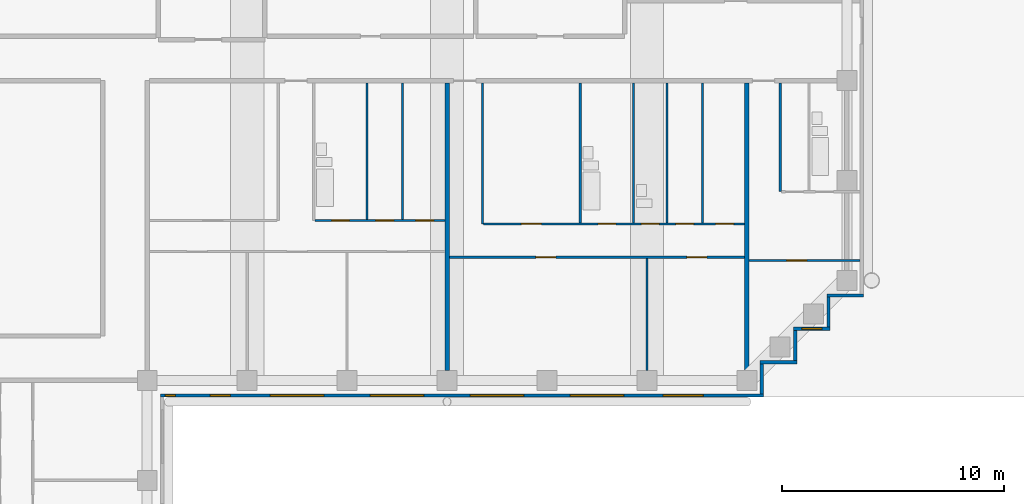
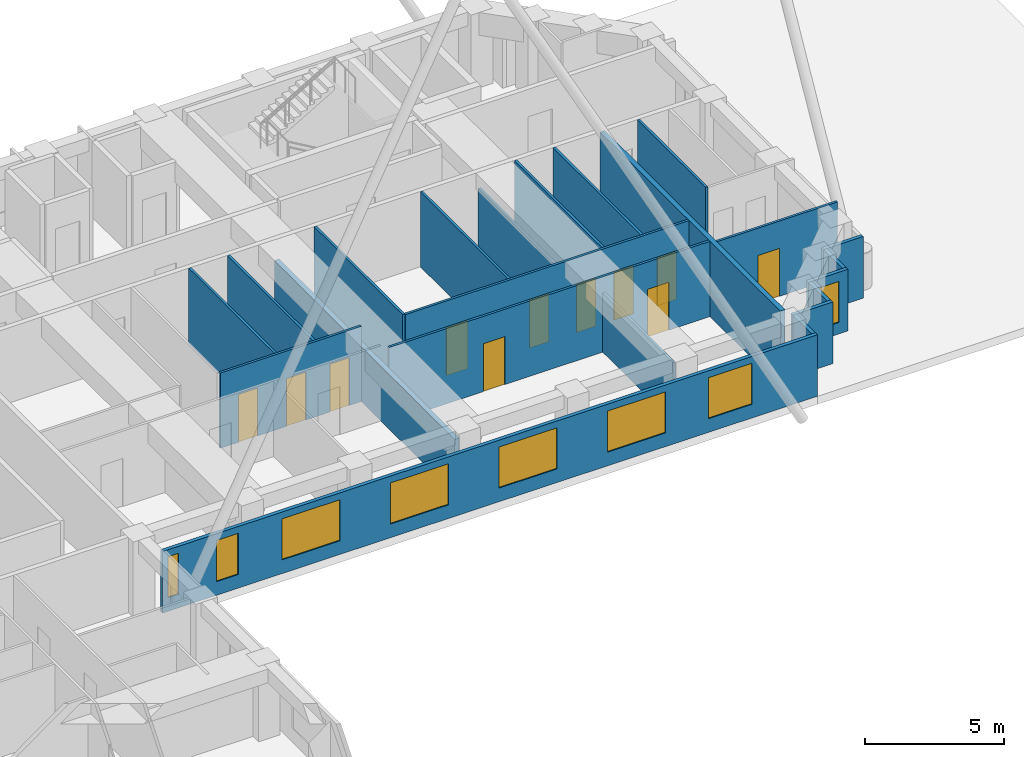
# One storey, part 7 of 11: 22 walls, 11 doors, 8 windows, 19 openings.
"""IFC4 building model written with IfcOpenShell, lengths in metres."""

from ifc_helpers import new_model, si_unit, direction, frame, frame_2d, origin, place, context, subcontext, project, spatial, rectangle, extrude, material, layer, layer_set, type_object, element, fill, save


model = new_model("IFC4")

# Units and contexts
model_context = context("Model", 3, precision=1e-05, world=origin(), true_north=direction((0.0, 1.0)))
body_context = subcontext(model_context, "Body", "Model", "MODEL_VIEW")
ifc_project = project(units=[si_unit("LENGTHUNIT", "METRE"), si_unit("AREAUNIT", "SQUARE_METRE"), si_unit("VOLUMEUNIT", "CUBIC_METRE"), si_unit("PLANEANGLEUNIT", "RADIAN"), si_unit("MASSUNIT", "GRAM", prefix="KILO")], contexts=[model_context])

# Site, building, storey
site_placement = place(None, origin())
site = spatial("IfcSite", under=ifc_project, at=site_placement, CompositionType="ELEMENT")
building_placement = place(site_placement, origin())
building = spatial("IfcBuilding", under=site, at=building_placement, Name="Firuza Court", CompositionType="ELEMENT")
storey_placement = place(building_placement, frame((0.0, 0.0, 186.199951171875)))
storey = spatial("IfcBuildingStorey", under=building, at=storey_placement, Name="L47", CompositionType="ELEMENT", Elevation=186.199951171875)

# Walls
ifc_material_1 = material(Name="Moisture-resistant gypsum board partition")
ifc_layer_1 = layer(ifc_material_1, 0.10009765625)
ifc_layer_set_1 = layer_set([ifc_layer_1], Name="Moisture-resistant gypsum board partition")
wall_type_1 = type_object("IfcWallType", Name="Bathroom partition 100", PredefinedType="PLUMBINGWALL", material=ifc_layer_set_1)
wall_1_placement = place(storey_placement, frame((42.0, 43.10009765625, 0.0), z_axis=(0.0, 0.0, 1.0), x_axis=(0.0, 1.0, 0.0)))
element("IfcWall", 1, at=wall_1_placement, inside=storey, type_object=wall_type_1, Name="Bathroom partition 100 L47", PredefinedType="PLUMBINGWALL", context=body_context, shape_type="SweptSolid", body=[
    extrude(rectangle(XDim=6.2998046875, YDim=0.10009765625, at=frame_2d((3.14990234375, 0.0))), origin(), (0.0, 0.0, 1.0), 3.300048828125),
])
wall_2_placement = place(storey_placement, frame((44.39990234375, 43.10009765625, 0.0), z_axis=(0.0, 0.0, 1.0), x_axis=(0.0, 1.0, 0.0)))
element("IfcWall", 2, at=wall_2_placement, inside=storey, type_object=wall_type_1, Name="Bathroom partition 100 L47", PredefinedType="PLUMBINGWALL", context=body_context, shape_type="SweptSolid", body=[
    extrude(rectangle(XDim=6.2998046875, YDim=0.10009765625, at=frame_2d((3.14990234375, 0.0))), origin(), (0.0, 0.0, 1.0), 2.60009765625),
])
wall_3_placement = place(storey_placement, frame((45.89990234375, 43.10009765625, 0.0), z_axis=(0.0, 0.0, 1.0), x_axis=(0.0, 1.0, 0.0)))
element("IfcWall", 3, at=wall_3_placement, inside=storey, type_object=wall_type_1, Name="Bathroom partition 100 L47", PredefinedType="PLUMBINGWALL", context=body_context, shape_type="SweptSolid", body=[
    extrude(rectangle(XDim=6.2998046875, YDim=0.10009765625, at=frame_2d((3.14990234375, 0.0))), origin(), (0.0, 0.0, 1.0), 3.300048828125),
])
wall_4_placement = place(storey_placement, frame((32.39990234375, 43.25, 0.0), z_axis=(0.0, 0.0, 1.0), x_axis=(0.0, 1.0, 0.0)))
element("IfcWall", 4, at=wall_4_placement, inside=storey, type_object=wall_type_1, Name="Bathroom partition 100 L47", PredefinedType="PLUMBINGWALL", context=body_context, shape_type="SweptSolid", body=[
    extrude(rectangle(XDim=6.14990234375, YDim=0.10009765625, at=frame_2d((3.074951171875, 0.0))), origin(), (0.0, 0.0, 1.0), 3.300048828125),
])
ifc_material_2 = material(Name="Timber stud partition, plasterboard both sides", Category="wood")
ifc_layer_2 = layer(ifc_material_2, 0.10009765625)
ifc_layer_set_2 = layer_set([ifc_layer_2], Name="Timber stud partition, plasterboard both sides")
wall_type_2 = type_object("IfcWallType", Name="Partition wall 100", PredefinedType="PARTITIONING", material=ifc_layer_set_2)
wall_5_placement = place(storey_placement, frame((45.0, 36.449951171875, 0.0), z_axis=(0.0, 0.0, 1.0), x_axis=(0.0, 1.0, 0.0)))
element("IfcWall", 5, at=wall_5_placement, inside=storey, type_object=wall_type_2, Name="Partition wall 100 L47", PredefinedType="PARTITIONING", context=body_context, shape_type="SweptSolid", body=[
    extrude(rectangle(XDim=5.050048828125, YDim=0.10009765625, at=frame_2d((2.52490234375, 0.0))), origin(), (0.0, 0.0, 1.0), 2.60009765625),
])

# Wall, opening, door
wall_6_placement = place(storey_placement, frame((49.60009765625, 41.39990234375, 0.0), z_axis=(0.0, 0.0, 1.0), x_axis=(1.0, 0.0, 0.0)))
wall_6 = element("IfcWall", 6, at=wall_6_placement, inside=storey, type_object=wall_type_2, Name="Partition wall 100 L47", PredefinedType="PARTITIONING", context=body_context, shape_type="SweptSolid", body=[
    extrude(rectangle(XDim=5.0, YDim=0.10009765625, at=frame_2d((2.5, 0.0))), origin(), (0.0, 0.0, 1.0), 3.300048828125),
])
opening_1_placement = place(wall_6_placement, frame((1.699951171875, 0.0, 0.0)))
opening_1 = element("IfcOpeningElement", 7, at=opening_1_placement, cuts=wall_6, Name="Opening D47038", PredefinedType="OPENING", context=body_context, shape_type="SweptSolid", body=[
    extrude(rectangle(XDim=0.89990234375, YDim=2.10009765625, at=frame_2d((0.449951171875, 1.050048828125))), frame((0.0, 0.06201171875, 0.0), z_axis=(0.0, -1.0, 0.0), x_axis=(1.0, 0.0, 0.0)), (0.0, 0.0, 1.0), 0.1240234375),
])
ifc_material_3 = material(Name="Timber door leaf in hardwood frame", Category="wood")
door_type_1 = type_object("IfcDoorType", Name="Room door 900", OperationType="SINGLE_SWING_LEFT", PredefinedType="DOOR", material=ifc_material_3)
door_1_placement = place(opening_1_placement, frame((0.89990234375, 0.0, 0.0), z_axis=(0.0, 0.0, 1.0), x_axis=(-1.0, 0.0, 0.0)))
door_1 = element("IfcDoor", 8, at=door_1_placement, inside=storey, type_object=door_type_1, Name="Studio room door", OperationType="SINGLE_SWING_RIGHT", OverallHeight=2.10009765625, OverallWidth=0.89990234375, PredefinedType="DOOR", context=body_context, shape_type="SweptSolid", body=[
    extrude(rectangle(XDim=0.89990234375, YDim=2.10009765625, at=frame_2d((0.449951171875, 1.050048828125))), frame((0.0, 0.02490234375, 0.0), z_axis=(0.0, -1.0, 0.0), x_axis=(1.0, 0.0, 0.0)), (0.0, 0.0, 1.0), 0.050048828125),
])
fill(opening_1, door_1)

# Wall, openings, doors
wall_7_placement = place(storey_placement, frame((36.10009765625, 41.550048828125, 0.0), z_axis=(0.0, 0.0, 1.0), x_axis=(1.0, 0.0, 0.0)))
wall_7 = element("IfcWall", 9, at=wall_7_placement, inside=storey, type_object=wall_type_2, Name="Partition wall 100 L47", PredefinedType="PARTITIONING", context=body_context, shape_type="SweptSolid", body=[
    extrude(rectangle(XDim=13.2998046875, YDim=0.10009765625, at=frame_2d((6.64990234375, 0.0))), origin(), (0.0, 0.0, 1.0), 3.300048828125),
])
opening_2_placement = place(wall_7_placement, frame((3.89990234375, 0.0, 0.0)))
opening_2 = element("IfcOpeningElement", 10, at=opening_2_placement, cuts=wall_7, Name="Opening D47039", PredefinedType="OPENING", context=body_context, shape_type="SweptSolid", body=[
    extrude(rectangle(XDim=0.89990234375, YDim=2.10009765625, at=frame_2d((0.449951171875, 1.050048828125))), frame((0.0, 0.06201171875, 0.0), z_axis=(0.0, -1.0, 0.0), x_axis=(1.0, 0.0, 0.0)), (0.0, 0.0, 1.0), 0.1240234375),
])
opening_3_placement = place(wall_7_placement, frame((10.699951171875, 0.0, 0.0)))
opening_3 = element("IfcOpeningElement", 11, at=opening_3_placement, cuts=wall_7, Name="Opening D47040", PredefinedType="OPENING", context=body_context, shape_type="SweptSolid", body=[
    extrude(rectangle(XDim=0.89990234375, YDim=2.10009765625, at=frame_2d((0.449951171875, 1.050048828125))), frame((0.0, 0.06201171875, 0.0), z_axis=(0.0, -1.0, 0.0), x_axis=(1.0, 0.0, 0.0)), (0.0, 0.0, 1.0), 0.1240234375),
])
door_2_placement = place(opening_2_placement, frame((0.89990234375, 0.0, 0.0), z_axis=(0.0, 0.0, 1.0), x_axis=(-1.0, 0.0, 0.0)))
door_2 = element("IfcDoor", 12, at=door_2_placement, inside=storey, type_object=door_type_1, Name="Living room door", OperationType="SINGLE_SWING_RIGHT", OverallHeight=2.10009765625, OverallWidth=0.89990234375, PredefinedType="DOOR", context=body_context, shape_type="SweptSolid", body=[
    extrude(rectangle(XDim=0.89990234375, YDim=2.10009765625, at=frame_2d((0.449951171875, 1.050048828125))), frame((0.0, 0.02490234375, 0.0), z_axis=(0.0, -1.0, 0.0), x_axis=(1.0, 0.0, 0.0)), (0.0, 0.0, 1.0), 0.050048828125),
])
fill(opening_2, door_2)
door_3_placement = place(opening_3_placement, frame((0.89990234375, 0.0, 0.0), z_axis=(0.0, 0.0, 1.0), x_axis=(-1.0, 0.0, 0.0)))
door_3 = element("IfcDoor", 13, at=door_3_placement, inside=storey, type_object=door_type_1, Name="Bedroom door", OperationType="SINGLE_SWING_RIGHT", OverallHeight=2.10009765625, OverallWidth=0.89990234375, PredefinedType="DOOR", context=body_context, shape_type="SweptSolid", body=[
    extrude(rectangle(XDim=0.89990234375, YDim=2.10009765625, at=frame_2d((0.449951171875, 1.050048828125))), frame((0.0, 0.02490234375, 0.0), z_axis=(0.0, -1.0, 0.0), x_axis=(1.0, 0.0, 0.0)), (0.0, 0.0, 1.0), 0.050048828125),
])
fill(opening_3, door_3)

# Wall
wall_8_placement = place(storey_placement, frame((37.60009765625, 43.050048828125, 0.0), z_axis=(0.0, 0.0, 1.0), x_axis=(0.0, 1.0, 0.0)))
element("IfcWall", 14, at=wall_8_placement, inside=storey, type_object=wall_type_2, Name="Partition wall 100 L47", PredefinedType="PARTITIONING", context=body_context, shape_type="SweptSolid", body=[
    extrude(rectangle(XDim=6.349853515625, YDim=0.10009765625, at=frame_2d((3.1748046875, 0.0))), origin(), (0.0, 0.0, 1.0), 3.300048828125),
])

# Wall, openings, doors
wall_9_placement = place(storey_placement, frame((37.64990234375, 43.050048828125, 0.0), z_axis=(0.0, 0.0, 1.0), x_axis=(1.0, 0.0, 0.0)))
wall_9 = element("IfcWall", 15, at=wall_9_placement, inside=storey, type_object=wall_type_2, Name="Partition wall 100 L47", PredefinedType="PARTITIONING", context=body_context, shape_type="SweptSolid", body=[
    extrude(rectangle(XDim=11.75, YDim=0.10009765625, at=frame_2d((5.875, 0.0))), origin(), (0.0, 0.0, 1.0), 3.300048828125),
])
opening_4_placement = place(wall_9_placement, frame((5.14990234375, 0.0, 0.0)))
opening_4 = element("IfcOpeningElement", 16, at=opening_4_placement, cuts=wall_9, Name="Opening D47044", PredefinedType="OPENING", context=body_context, shape_type="SweptSolid", body=[
    extrude(rectangle(XDim=0.800048828125, YDim=2.10009765625, at=frame_2d((0.39990234375, 1.050048828125))), frame((0.0, 0.06201171875, 0.0), z_axis=(0.0, -1.0, 0.0), x_axis=(1.0, 0.0, 0.0)), (0.0, 0.0, 1.0), 0.1240234375),
])
opening_5_placement = place(wall_9_placement, frame((1.699951171875, 0.0, 0.0)))
opening_5 = element("IfcOpeningElement", 17, at=opening_5_placement, cuts=wall_9, Name="Opening D47045", PredefinedType="OPENING", context=body_context, shape_type="SweptSolid", body=[
    extrude(rectangle(XDim=0.89990234375, YDim=2.10009765625, at=frame_2d((0.449951171875, 1.050048828125))), frame((0.0, 0.06201171875, 0.0), z_axis=(0.0, -1.0, 0.0), x_axis=(1.0, 0.0, 0.0)), (0.0, 0.0, 1.0), 0.1240234375),
])
opening_6_placement = place(wall_9_placement, frame((8.64990234375, 0.0, 0.0)))
opening_6 = element("IfcOpeningElement", 18, at=opening_6_placement, cuts=wall_9, Name="Opening D47046", PredefinedType="OPENING", context=body_context, shape_type="SweptSolid", body=[
    extrude(rectangle(XDim=0.800048828125, YDim=2.10009765625, at=frame_2d((0.39990234375, 1.050048828125))), frame((0.0, 0.06201171875, 0.0), z_axis=(0.0, -1.0, 0.0), x_axis=(1.0, 0.0, 0.0)), (0.0, 0.0, 1.0), 0.1240234375),
])
opening_7_placement = place(wall_9_placement, frame((10.449951171875, 0.0, 0.0)))
opening_7 = element("IfcOpeningElement", 19, at=opening_7_placement, cuts=wall_9, Name="Opening D47047", PredefinedType="OPENING", context=body_context, shape_type="SweptSolid", body=[
    extrude(rectangle(XDim=0.800048828125, YDim=2.10009765625, at=frame_2d((0.39990234375, 1.050048828125))), frame((0.0, 0.06201171875, 0.0), z_axis=(0.0, -1.0, 0.0), x_axis=(1.0, 0.0, 0.0)), (0.0, 0.0, 1.0), 0.1240234375),
])
opening_8_placement = place(wall_9_placement, frame((7.10009765625, 0.0, 0.0)))
opening_8 = element("IfcOpeningElement", 20, at=opening_8_placement, cuts=wall_9, Name="Opening D47048", PredefinedType="OPENING", context=body_context, shape_type="SweptSolid", body=[
    extrude(rectangle(XDim=0.800048828125, YDim=2.10009765625, at=frame_2d((0.39990234375, 1.050048828125))), frame((0.0, 0.06201171875, 0.0), z_axis=(0.0, -1.0, 0.0), x_axis=(1.0, 0.0, 0.0)), (0.0, 0.0, 1.0), 0.1240234375),
])
ifc_material_4 = material(Name="Timber door leaf in hardwood frame", Category="wood")
door_type_2 = type_object("IfcDoorType", Name="Bathroom door 800", OperationType="SINGLE_SWING_LEFT", PredefinedType="DOOR", material=ifc_material_4)
door_4_placement = place(opening_4_placement, origin())
door_4 = element("IfcDoor", 21, at=door_4_placement, inside=storey, type_object=door_type_2, Name="Bathroom door", OperationType="SINGLE_SWING_LEFT", OverallHeight=2.10009765625, OverallWidth=0.800048828125, PredefinedType="DOOR", context=body_context, shape_type="SweptSolid", body=[
    extrude(rectangle(XDim=0.800048828125, YDim=2.10009765625, at=frame_2d((0.39990234375, 1.050048828125))), frame((0.0, 0.02490234375, 0.0), z_axis=(0.0, -1.0, 0.0), x_axis=(1.0, 0.0, 0.0)), (0.0, 0.0, 1.0), 0.050048828125),
])
fill(opening_4, door_4)
door_5_placement = place(opening_8_placement, origin())
door_5 = element("IfcDoor", 22, at=door_5_placement, inside=storey, type_object=door_type_2, Name="Powder room door", OperationType="SINGLE_SWING_LEFT", OverallHeight=2.10009765625, OverallWidth=0.800048828125, PredefinedType="DOOR", context=body_context, shape_type="SweptSolid", body=[
    extrude(rectangle(XDim=0.800048828125, YDim=2.10009765625, at=frame_2d((0.39990234375, 1.050048828125))), frame((0.0, 0.02490234375, 0.0), z_axis=(0.0, -1.0, 0.0), x_axis=(1.0, 0.0, 0.0)), (0.0, 0.0, 1.0), 0.050048828125),
])
fill(opening_8, door_5)
ifc_material_5 = material(Name="Timber door leaf in hardwood frame", Category="wood")
door_type_3 = type_object("IfcDoorType", Name="Room door 800", OperationType="SINGLE_SWING_LEFT", PredefinedType="DOOR", material=ifc_material_5)
door_6_placement = place(opening_6_placement, origin())
door_6 = element("IfcDoor", 23, at=door_6_placement, inside=storey, type_object=door_type_3, Name="Store door", OperationType="SINGLE_SWING_LEFT", OverallHeight=2.10009765625, OverallWidth=0.800048828125, PredefinedType="DOOR", context=body_context, shape_type="SweptSolid", body=[
    extrude(rectangle(XDim=0.800048828125, YDim=2.10009765625, at=frame_2d((0.39990234375, 1.050048828125))), frame((0.0, 0.02490234375, 0.0), z_axis=(0.0, -1.0, 0.0), x_axis=(1.0, 0.0, 0.0)), (0.0, 0.0, 1.0), 0.050048828125),
])
fill(opening_6, door_6)
door_7_placement = place(opening_7_placement, origin())
door_7 = element("IfcDoor", 24, at=door_7_placement, inside=storey, type_object=door_type_3, Name="Utility room door", OperationType="SINGLE_SWING_LEFT", OverallHeight=2.10009765625, OverallWidth=0.800048828125, PredefinedType="DOOR", context=body_context, shape_type="SweptSolid", body=[
    extrude(rectangle(XDim=0.800048828125, YDim=2.10009765625, at=frame_2d((0.39990234375, 1.050048828125))), frame((0.0, 0.02490234375, 0.0), z_axis=(0.0, -1.0, 0.0), x_axis=(1.0, 0.0, 0.0)), (0.0, 0.0, 1.0), 0.050048828125),
])
fill(opening_7, door_7)
door_8_placement = place(opening_5_placement, origin())
door_8 = element("IfcDoor", 25, at=door_8_placement, inside=storey, type_object=door_type_1, Name="Kitchen door", OperationType="SINGLE_SWING_LEFT", OverallHeight=2.10009765625, OverallWidth=0.89990234375, PredefinedType="DOOR", context=body_context, shape_type="SweptSolid", body=[
    extrude(rectangle(XDim=0.89990234375, YDim=2.10009765625, at=frame_2d((0.449951171875, 1.050048828125))), frame((0.0, 0.02490234375, 0.0), z_axis=(0.0, -1.0, 0.0), x_axis=(1.0, 0.0, 0.0)), (0.0, 0.0, 1.0), 0.050048828125),
])
fill(opening_5, door_8)

# Wall
wall_10_placement = place(storey_placement, frame((47.5, 43.10009765625, 0.0), z_axis=(0.0, 0.0, 1.0), x_axis=(0.0, 1.0, 0.0)))
element("IfcWall", 26, at=wall_10_placement, inside=storey, type_object=wall_type_2, Name="Partition wall 100 L47", PredefinedType="PARTITIONING", context=body_context, shape_type="SweptSolid", body=[
    extrude(rectangle(XDim=6.2998046875, YDim=0.10009765625, at=frame_2d((3.14990234375, 0.0))), origin(), (0.0, 0.0, 1.0), 3.300048828125),
])

# Wall, openings, doors
wall_11_placement = place(storey_placement, frame((30.050048828125, 43.199951171875, 0.0), z_axis=(0.0, 0.0, 1.0), x_axis=(1.0, 0.0, 0.0)))
wall_11 = element("IfcWall", 27, at=wall_11_placement, inside=storey, type_object=wall_type_2, Name="Partition wall 100 L47", PredefinedType="PARTITIONING", context=body_context, shape_type="SweptSolid", body=[
    extrude(rectangle(XDim=5.849853515625, YDim=0.10009765625, at=frame_2d((2.9248046875, 0.0))), origin(), (0.0, 0.0, 1.0), 3.300048828125),
])
opening_9_placement = place(wall_11_placement, frame((0.75, 0.0, 0.0)))
opening_9 = element("IfcOpeningElement", 28, at=opening_9_placement, cuts=wall_11, Name="Opening D47050", PredefinedType="OPENING", context=body_context, shape_type="SweptSolid", body=[
    extrude(rectangle(XDim=0.800048828125, YDim=2.10009765625, at=frame_2d((0.39990234375, 1.050048828125))), frame((0.0, 0.06201171875, 0.0), z_axis=(0.0, -1.0, 0.0), x_axis=(1.0, 0.0, 0.0)), (0.0, 0.0, 1.0), 0.1240234375),
])
opening_10_placement = place(wall_11_placement, frame((2.75, 0.0, 0.0)))
opening_10 = element("IfcOpeningElement", 29, at=opening_10_placement, cuts=wall_11, Name="Opening D47051", PredefinedType="OPENING", context=body_context, shape_type="SweptSolid", body=[
    extrude(rectangle(XDim=0.800048828125, YDim=2.10009765625, at=frame_2d((0.39990234375, 1.050048828125))), frame((0.0, 0.06201171875, 0.0), z_axis=(0.0, -1.0, 0.0), x_axis=(1.0, 0.0, 0.0)), (0.0, 0.0, 1.0), 0.1240234375),
])
opening_11_placement = place(wall_11_placement, frame((4.550048828125, 0.0, 0.0)))
opening_11 = element("IfcOpeningElement", 30, at=opening_11_placement, cuts=wall_11, Name="Opening D47052", PredefinedType="OPENING", context=body_context, shape_type="SweptSolid", body=[
    extrude(rectangle(XDim=0.800048828125, YDim=2.10009765625, at=frame_2d((0.39990234375, 1.050048828125))), frame((0.0, 0.06201171875, 0.0), z_axis=(0.0, -1.0, 0.0), x_axis=(1.0, 0.0, 0.0)), (0.0, 0.0, 1.0), 0.1240234375),
])
door_9_placement = place(opening_9_placement, origin())
door_9 = element("IfcDoor", 31, at=door_9_placement, inside=storey, type_object=door_type_2, Name="Bathroom door", OperationType="SINGLE_SWING_LEFT", OverallHeight=2.10009765625, OverallWidth=0.800048828125, PredefinedType="DOOR", context=body_context, shape_type="SweptSolid", body=[
    extrude(rectangle(XDim=0.800048828125, YDim=2.10009765625, at=frame_2d((0.39990234375, 1.050048828125))), frame((0.0, 0.02490234375, 0.0), z_axis=(0.0, -1.0, 0.0), x_axis=(1.0, 0.0, 0.0)), (0.0, 0.0, 1.0), 0.050048828125),
])
fill(opening_9, door_9)
door_10_placement = place(opening_10_placement, origin())
door_10 = element("IfcDoor", 32, at=door_10_placement, inside=storey, type_object=door_type_3, Name="Store door", OperationType="SINGLE_SWING_LEFT", OverallHeight=2.10009765625, OverallWidth=0.800048828125, PredefinedType="DOOR", context=body_context, shape_type="SweptSolid", body=[
    extrude(rectangle(XDim=0.800048828125, YDim=2.10009765625, at=frame_2d((0.39990234375, 1.050048828125))), frame((0.0, 0.02490234375, 0.0), z_axis=(0.0, -1.0, 0.0), x_axis=(1.0, 0.0, 0.0)), (0.0, 0.0, 1.0), 0.050048828125),
])
fill(opening_10, door_10)
door_11_placement = place(opening_11_placement, origin())
door_11 = element("IfcDoor", 33, at=door_11_placement, inside=storey, type_object=door_type_3, Name="Utility room door", OperationType="SINGLE_SWING_LEFT", OverallHeight=2.10009765625, OverallWidth=0.800048828125, PredefinedType="DOOR", context=body_context, shape_type="SweptSolid", body=[
    extrude(rectangle(XDim=0.800048828125, YDim=2.10009765625, at=frame_2d((0.39990234375, 1.050048828125))), frame((0.0, 0.02490234375, 0.0), z_axis=(0.0, -1.0, 0.0), x_axis=(1.0, 0.0, 0.0)), (0.0, 0.0, 1.0), 0.050048828125),
])
fill(opening_11, door_11)

# Walls
wall_12_placement = place(storey_placement, frame((34.0, 43.25, 0.0), z_axis=(0.0, 0.0, 1.0), x_axis=(0.0, 1.0, 0.0)))
element("IfcWall", 34, at=wall_12_placement, inside=storey, type_object=wall_type_2, Name="Partition wall 100 L47", PredefinedType="PARTITIONING", context=body_context, shape_type="SweptSolid", body=[
    extrude(rectangle(XDim=6.14990234375, YDim=0.10009765625, at=frame_2d((3.074951171875, 0.0))), origin(), (0.0, 0.0, 1.0), 3.300048828125),
])
wall_13_placement = place(storey_placement, frame((51.0, 44.5, 0.0), z_axis=(0.0, 0.0, 1.0), x_axis=(0.0, 1.0, 0.0)))
element("IfcWall", 35, at=wall_13_placement, inside=storey, type_object=wall_type_2, Name="Partition wall 100 L47", PredefinedType="PARTITIONING", context=body_context, shape_type="SweptSolid", body=[
    extrude(rectangle(XDim=4.89990234375, YDim=0.10009765625, at=frame_2d((2.449951171875, 0.0))), origin(), (0.0, 0.0, 1.0), 3.300048828125),
])
ifc_material_6 = material(Name="Blockwork, plastered both sides", Category="masonry")
ifc_layer_3 = layer(ifc_material_6, 0.199951171875)
ifc_layer_set_3 = layer_set([ifc_layer_3], Name="Blockwork, plastered both sides")
wall_type_3 = type_object("IfcWallType", Name="Party wall 200", PredefinedType="PARTITIONING", material=ifc_layer_set_3)
wall_14_placement = place(storey_placement, frame((36.0, 36.449951171875, 0.0), z_axis=(0.0, 0.0, 1.0), x_axis=(0.0, 1.0, 0.0)))
element("IfcWall", 36, at=wall_14_placement, inside=storey, type_object=wall_type_3, Name="Party wall 200 L47", PredefinedType="PARTITIONING", context=body_context, shape_type="SweptSolid", body=[
    extrude(rectangle(XDim=12.949951171875, YDim=0.199951171875, at=frame_2d((6.47509765625, 0.0))), origin(), (0.0, 0.0, 1.0), 2.400146484375),
])
wall_15_placement = place(storey_placement, frame((49.5, 36.449951171875, 0.0), z_axis=(0.0, 0.0, 1.0), x_axis=(0.0, 1.0, 0.0)))
element("IfcWall", 37, at=wall_15_placement, inside=storey, type_object=wall_type_3, Name="Party wall 200 L47", PredefinedType="PARTITIONING", context=body_context, shape_type="SweptSolid", body=[
    extrude(rectangle(XDim=12.949951171875, YDim=0.199951171875, at=frame_2d((6.47509765625, 0.0))), origin(), (0.0, 0.0, 1.0), 3.300048828125),
])

# Wall, openings, windows
ifc_material_7 = material(Name="Ceramic tile", Category="ceramic")
ifc_layer_4 = layer(ifc_material_7, 0.02001953125)
ifc_material_8 = material(Name="Mineral wool insulation", Category="insulation")
ifc_layer_5 = layer(ifc_material_8, 0.050048828125)
ifc_material_9 = material(Name="Concrete C40/50 precast", Category="concrete")
ifc_layer_6 = layer(ifc_material_9, 0.080078125)
ifc_layer_set_4 = layer_set([ifc_layer_4, ifc_layer_5, ifc_layer_6], Name="Concrete C40/50 precast")
wall_type_4 = type_object("IfcWallType", Name="Precast cladding wall with turquoise TILE PANEL face 150", PredefinedType="STANDARD", material=ifc_layer_set_4)
wall_16_placement = place(storey_placement, frame((23.10009765625, 35.324951171875, 0.0), z_axis=(0.0, 0.0, 1.0), x_axis=(1.0, 0.0, 0.0)))
wall_16 = element("IfcWall", 38, at=wall_16_placement, inside=storey, type_object=wall_type_4, Name="Facade wall L47 S", PredefinedType="STANDARD", context=body_context, shape_type="SweptSolid", body=[
    extrude(rectangle(XDim=27.14990234375, YDim=0.14990234375, at=frame_2d((13.574951171875, 0.0))), origin(), (0.0, 0.0, 1.0), 2.699951171875),
])
opening_12_placement = place(wall_16_placement, frame((0.214111328125, 0.0, 0.60009765625)))
opening_12 = element("IfcOpeningElement", 39, at=opening_12_placement, cuts=wall_16, Name="Opening W5", PredefinedType="OPENING", context=body_context, shape_type="SweptSolid", body=[
    extrude(rectangle(XDim=0.449951171875, YDim=1.800048828125, at=frame_2d((0.22509765625, 0.89990234375))), frame((0.0, 0.0869140625, 0.0), z_axis=(0.0, -1.0, 0.0), x_axis=(1.0, 0.0, 0.0)), (0.0, 0.0, 1.0), 0.173828125),
])
opening_13_placement = place(wall_16_placement, frame((2.239013671875, 0.0, 0.60009765625)))
opening_13 = element("IfcOpeningElement", 40, at=opening_13_placement, cuts=wall_16, Name="Opening W3", PredefinedType="OPENING", context=body_context, shape_type="SweptSolid", body=[
    extrude(rectangle(XDim=0.89990234375, YDim=1.800048828125, at=frame_2d((0.449951171875, 0.89990234375))), frame((0.0, 0.0869140625, 0.0), z_axis=(0.0, -1.0, 0.0), x_axis=(1.0, 0.0, 0.0)), (0.0, 0.0, 1.0), 0.173828125),
])
opening_14_placement = place(wall_16_placement, frame((4.949951171875, 0.0, 0.60009765625)))
opening_14 = element("IfcOpeningElement", 41, at=opening_14_placement, cuts=wall_16, Name="Opening W1", PredefinedType="OPENING", context=body_context, shape_type="SweptSolid", body=[
    extrude(rectangle(XDim=2.39990234375, YDim=1.800048828125, at=frame_2d((1.199951171875, 0.89990234375))), frame((0.0, 0.0869140625, 0.0), z_axis=(0.0, -1.0, 0.0), x_axis=(1.0, 0.0, 0.0)), (0.0, 0.0, 1.0), 0.173828125),
])
opening_15_placement = place(wall_16_placement, frame((9.449951171875, 0.0, 0.60009765625)))
opening_15 = element("IfcOpeningElement", 42, at=opening_15_placement, cuts=wall_16, Name="Opening W1", PredefinedType="OPENING", context=body_context, shape_type="SweptSolid", body=[
    extrude(rectangle(XDim=2.39990234375, YDim=1.800048828125, at=frame_2d((1.199951171875, 0.89990234375))), frame((0.0, 0.0869140625, 0.0), z_axis=(0.0, -1.0, 0.0), x_axis=(1.0, 0.0, 0.0)), (0.0, 0.0, 1.0), 0.173828125),
])
opening_16_placement = place(wall_16_placement, frame((13.949951171875, 0.0, 0.60009765625)))
opening_16 = element("IfcOpeningElement", 43, at=opening_16_placement, cuts=wall_16, Name="Opening W1", PredefinedType="OPENING", context=body_context, shape_type="SweptSolid", body=[
    extrude(rectangle(XDim=2.39990234375, YDim=1.800048828125, at=frame_2d((1.199951171875, 0.89990234375))), frame((0.0, 0.0869140625, 0.0), z_axis=(0.0, -1.0, 0.0), x_axis=(1.0, 0.0, 0.0)), (0.0, 0.0, 1.0), 0.173828125),
])
opening_17_placement = place(wall_16_placement, frame((18.449951171875, 0.0, 0.60009765625)))
opening_17 = element("IfcOpeningElement", 44, at=opening_17_placement, cuts=wall_16, Name="Opening W1", PredefinedType="OPENING", context=body_context, shape_type="SweptSolid", body=[
    extrude(rectangle(XDim=2.39990234375, YDim=1.800048828125, at=frame_2d((1.199951171875, 0.89990234375))), frame((0.0, 0.0869140625, 0.0), z_axis=(0.0, -1.0, 0.0), x_axis=(1.0, 0.0, 0.0)), (0.0, 0.0, 1.0), 0.173828125),
])
opening_18_placement = place(wall_16_placement, frame((22.631103515625, 0.0, 0.60009765625)))
opening_18 = element("IfcOpeningElement", 45, at=opening_18_placement, cuts=wall_16, Name="Opening W7", PredefinedType="OPENING", context=body_context, shape_type="SweptSolid", body=[
    extrude(rectangle(XDim=1.800048828125, YDim=1.800048828125, at=frame_2d((0.89990234375, 0.89990234375))), frame((0.0, 0.0869140625, 0.0), z_axis=(0.0, -1.0, 0.0), x_axis=(1.0, 0.0, 0.0)), (0.0, 0.0, 1.0), 0.173828125),
])
ifc_material_10 = material(Name="Aluminium frame, triple clear glazing", Category="aluminium")
window_type_1 = type_object("IfcWindowType", Name="Window W1 2400 x 1800", PartitioningType="SINGLE_PANEL", PredefinedType="WINDOW", material=ifc_material_10)
window_1_placement = place(opening_14_placement, origin())
window_1 = element("IfcWindow", 46, at=window_1_placement, inside=storey, type_object=window_type_1, Name="Window L47", OverallHeight=1.800048828125, OverallWidth=2.39990234375, PartitioningType="SINGLE_PANEL", PredefinedType="WINDOW", context=body_context, shape_type="SweptSolid", body=[
    extrude(rectangle(XDim=2.39990234375, YDim=1.800048828125, at=frame_2d((1.199951171875, 0.89990234375))), frame((0.0, 0.030029296875, 0.0), z_axis=(0.0, -1.0, 0.0), x_axis=(1.0, 0.0, 0.0)), (0.0, 0.0, 1.0), 0.06005859375),
])
fill(opening_14, window_1)
window_2_placement = place(opening_15_placement, origin())
window_2 = element("IfcWindow", 47, at=window_2_placement, inside=storey, type_object=window_type_1, Name="Window L47", OverallHeight=1.800048828125, OverallWidth=2.39990234375, PartitioningType="SINGLE_PANEL", PredefinedType="WINDOW", context=body_context, shape_type="SweptSolid", body=[
    extrude(rectangle(XDim=2.39990234375, YDim=1.800048828125, at=frame_2d((1.199951171875, 0.89990234375))), frame((0.0, 0.030029296875, 0.0), z_axis=(0.0, -1.0, 0.0), x_axis=(1.0, 0.0, 0.0)), (0.0, 0.0, 1.0), 0.06005859375),
])
fill(opening_15, window_2)
window_3_placement = place(opening_16_placement, origin())
window_3 = element("IfcWindow", 48, at=window_3_placement, inside=storey, type_object=window_type_1, Name="Window L47", OverallHeight=1.800048828125, OverallWidth=2.39990234375, PartitioningType="SINGLE_PANEL", PredefinedType="WINDOW", context=body_context, shape_type="SweptSolid", body=[
    extrude(rectangle(XDim=2.39990234375, YDim=1.800048828125, at=frame_2d((1.199951171875, 0.89990234375))), frame((0.0, 0.030029296875, 0.0), z_axis=(0.0, -1.0, 0.0), x_axis=(1.0, 0.0, 0.0)), (0.0, 0.0, 1.0), 0.06005859375),
])
fill(opening_16, window_3)
window_4_placement = place(opening_17_placement, origin())
window_4 = element("IfcWindow", 49, at=window_4_placement, inside=storey, type_object=window_type_1, Name="Window L47", OverallHeight=1.800048828125, OverallWidth=2.39990234375, PartitioningType="SINGLE_PANEL", PredefinedType="WINDOW", context=body_context, shape_type="SweptSolid", body=[
    extrude(rectangle(XDim=2.39990234375, YDim=1.800048828125, at=frame_2d((1.199951171875, 0.89990234375))), frame((0.0, 0.030029296875, 0.0), z_axis=(0.0, -1.0, 0.0), x_axis=(1.0, 0.0, 0.0)), (0.0, 0.0, 1.0), 0.06005859375),
])
fill(opening_17, window_4)
ifc_material_11 = material(Name="Aluminium frame, triple clear glazing", Category="aluminium")
window_type_2 = type_object("IfcWindowType", Name="Window W3 900 x 1800", PartitioningType="SINGLE_PANEL", PredefinedType="WINDOW", material=ifc_material_11)
window_5_placement = place(opening_13_placement, origin())
window_5 = element("IfcWindow", 50, at=window_5_placement, inside=storey, type_object=window_type_2, Name="Window L47", OverallHeight=1.800048828125, OverallWidth=0.89990234375, PartitioningType="SINGLE_PANEL", PredefinedType="WINDOW", context=body_context, shape_type="SweptSolid", body=[
    extrude(rectangle(XDim=0.89990234375, YDim=1.800048828125, at=frame_2d((0.449951171875, 0.89990234375))), frame((0.0, 0.030029296875, 0.0), z_axis=(0.0, -1.0, 0.0), x_axis=(1.0, 0.0, 0.0)), (0.0, 0.0, 1.0), 0.06005859375),
])
fill(opening_13, window_5)
ifc_material_12 = material(Name="Aluminium frame, triple clear glazing", Category="aluminium")
window_type_3 = type_object("IfcWindowType", Name="Window W5 450 x 1800", PartitioningType="SINGLE_PANEL", PredefinedType="WINDOW", material=ifc_material_12)
window_6_placement = place(opening_12_placement, origin())
window_6 = element("IfcWindow", 51, at=window_6_placement, inside=storey, type_object=window_type_3, Name="Window L47", OverallHeight=1.800048828125, OverallWidth=0.449951171875, PartitioningType="SINGLE_PANEL", PredefinedType="WINDOW", context=body_context, shape_type="SweptSolid", body=[
    extrude(rectangle(XDim=0.449951171875, YDim=1.800048828125, at=frame_2d((0.22509765625, 0.89990234375))), frame((0.0, 0.030029296875, 0.0), z_axis=(0.0, -1.0, 0.0), x_axis=(1.0, 0.0, 0.0)), (0.0, 0.0, 1.0), 0.06005859375),
])
fill(opening_12, window_6)
ifc_material_13 = material(Name="Aluminium frame, triple clear glazing", Category="aluminium")
window_type_4 = type_object("IfcWindowType", Name="Window W7 1800 x 1800", PartitioningType="SINGLE_PANEL", PredefinedType="WINDOW", material=ifc_material_13)
window_7_placement = place(opening_18_placement, origin())
window_7 = element("IfcWindow", 52, at=window_7_placement, inside=storey, type_object=window_type_4, Name="Window L47", OverallHeight=1.800048828125, OverallWidth=1.800048828125, PartitioningType="SINGLE_PANEL", PredefinedType="WINDOW", context=body_context, shape_type="SweptSolid", body=[
    extrude(rectangle(XDim=1.800048828125, YDim=1.800048828125, at=frame_2d((0.89990234375, 0.89990234375))), frame((0.0, 0.030029296875, 0.0), z_axis=(0.0, -1.0, 0.0), x_axis=(1.0, 0.0, 0.0)), (0.0, 0.0, 1.0), 0.06005859375),
])
fill(opening_18, window_7)

# Walls
wall_17_placement = place(storey_placement, frame((50.175048828125, 35.39990234375, 0.0), z_axis=(0.0, 0.0, 1.0), x_axis=(0.0, 1.0, 0.0)))
element("IfcWall", 53, at=wall_17_placement, inside=storey, type_object=wall_type_4, Name="Facade wall L47 E", PredefinedType="STANDARD", context=body_context, shape_type="SweptSolid", body=[
    extrude(rectangle(XDim=1.35009765625, YDim=0.14990234375, at=frame_2d((0.675048828125, 0.0))), origin(), (0.0, 0.0, 1.0), 2.699951171875),
])
wall_18_placement = place(storey_placement, frame((50.10009765625, 36.824951171875, 0.0), z_axis=(0.0, 0.0, 1.0), x_axis=(1.0, 0.0, 0.0)))
element("IfcWall", 54, at=wall_18_placement, inside=storey, type_object=wall_type_4, Name="Facade wall L47 S", PredefinedType="STANDARD", context=body_context, shape_type="SweptSolid", body=[
    extrude(rectangle(XDim=1.64990234375, YDim=0.14990234375, at=frame_2d((0.824951171875, 0.0))), origin(), (0.0, 0.0, 1.0), 2.699951171875),
])
wall_19_placement = place(storey_placement, frame((51.675048828125, 36.89990234375, 0.0), z_axis=(0.0, 0.0, 1.0), x_axis=(0.0, 1.0, 0.0)))
element("IfcWall", 55, at=wall_19_placement, inside=storey, type_object=wall_type_4, Name="Facade wall L47 E", PredefinedType="STANDARD", context=body_context, shape_type="SweptSolid", body=[
    extrude(rectangle(XDim=1.35009765625, YDim=0.14990234375, at=frame_2d((0.675048828125, 0.0))), origin(), (0.0, 0.0, 1.0), 2.699951171875),
])

# Wall, opening, window
wall_20_placement = place(storey_placement, frame((51.60009765625, 38.324951171875, 0.0), z_axis=(0.0, 0.0, 1.0), x_axis=(1.0, 0.0, 0.0)))
wall_20 = element("IfcWall", 56, at=wall_20_placement, inside=storey, type_object=wall_type_4, Name="Facade wall L47 S", PredefinedType="STANDARD", context=body_context, shape_type="SweptSolid", body=[
    extrude(rectangle(XDim=1.64990234375, YDim=0.14990234375, at=frame_2d((0.824951171875, 0.0))), origin(), (0.0, 0.0, 1.0), 2.699951171875),
])
opening_19_placement = place(wall_20_placement, frame((0.375, 0.0, 0.5)))
opening_19 = element("IfcOpeningElement", 57, at=opening_19_placement, cuts=wall_20, Name="Opening W3", PredefinedType="OPENING", context=body_context, shape_type="SweptSolid", body=[
    extrude(rectangle(XDim=0.89990234375, YDim=1.800048828125, at=frame_2d((0.449951171875, 0.89990234375))), frame((0.0, 0.0869140625, 0.0), z_axis=(0.0, -1.0, 0.0), x_axis=(1.0, 0.0, 0.0)), (0.0, 0.0, 1.0), 0.173828125),
])
window_8_placement = place(opening_19_placement, origin())
window_8 = element("IfcWindow", 58, at=window_8_placement, inside=storey, type_object=window_type_2, Name="Window L47", OverallHeight=1.800048828125, OverallWidth=0.89990234375, PartitioningType="SINGLE_PANEL", PredefinedType="WINDOW", context=body_context, shape_type="SweptSolid", body=[
    extrude(rectangle(XDim=0.89990234375, YDim=1.800048828125, at=frame_2d((0.449951171875, 0.89990234375))), frame((0.0, 0.030029296875, 0.0), z_axis=(0.0, -1.0, 0.0), x_axis=(1.0, 0.0, 0.0)), (0.0, 0.0, 1.0), 0.06005859375),
])
fill(opening_19, window_8)

# Walls
wall_21_placement = place(storey_placement, frame((53.175048828125, 38.39990234375, 0.0), z_axis=(0.0, 0.0, 1.0), x_axis=(0.0, 1.0, 0.0)))
element("IfcWall", 59, at=wall_21_placement, inside=storey, type_object=wall_type_4, Name="Facade wall L47 E", PredefinedType="STANDARD", context=body_context, shape_type="SweptSolid", body=[
    extrude(rectangle(XDim=1.35009765625, YDim=0.14990234375, at=frame_2d((0.675048828125, 0.0))), origin(), (0.0, 0.0, 1.0), 2.699951171875),
])
wall_22_placement = place(storey_placement, frame((53.10009765625, 39.824951171875, 0.0), z_axis=(0.0, 0.0, 1.0), x_axis=(1.0, 0.0, 0.0)))
element("IfcWall", 60, at=wall_22_placement, inside=storey, type_object=wall_type_4, Name="Facade wall L47 S", PredefinedType="STANDARD", context=body_context, shape_type="SweptSolid", body=[
    extrude(rectangle(XDim=1.64990234375, YDim=0.14990234375, at=frame_2d((0.824951171875, 0.0))), origin(), (0.0, 0.0, 1.0), 2.699951171875),
])

save(model, "model.ifc")
